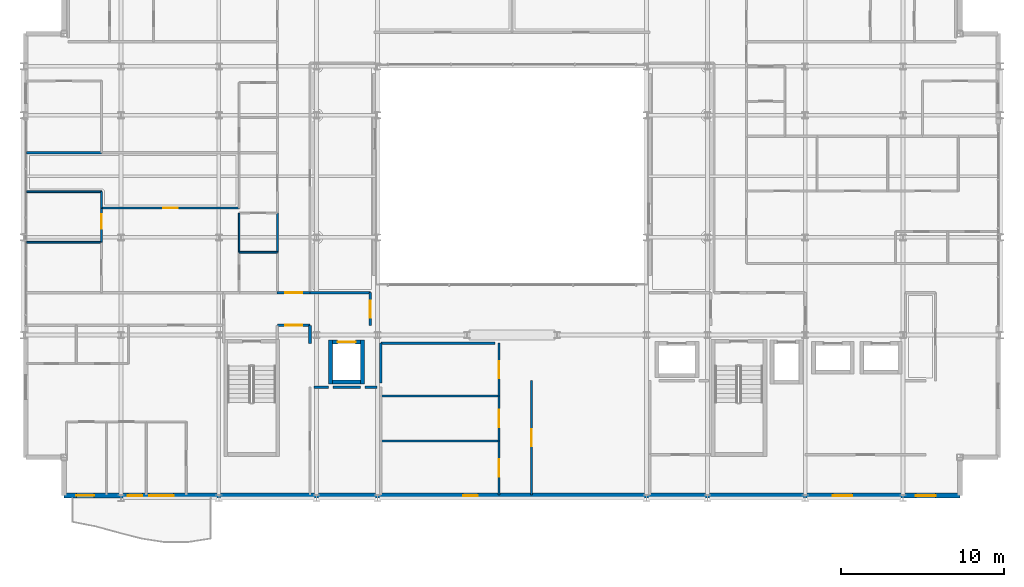
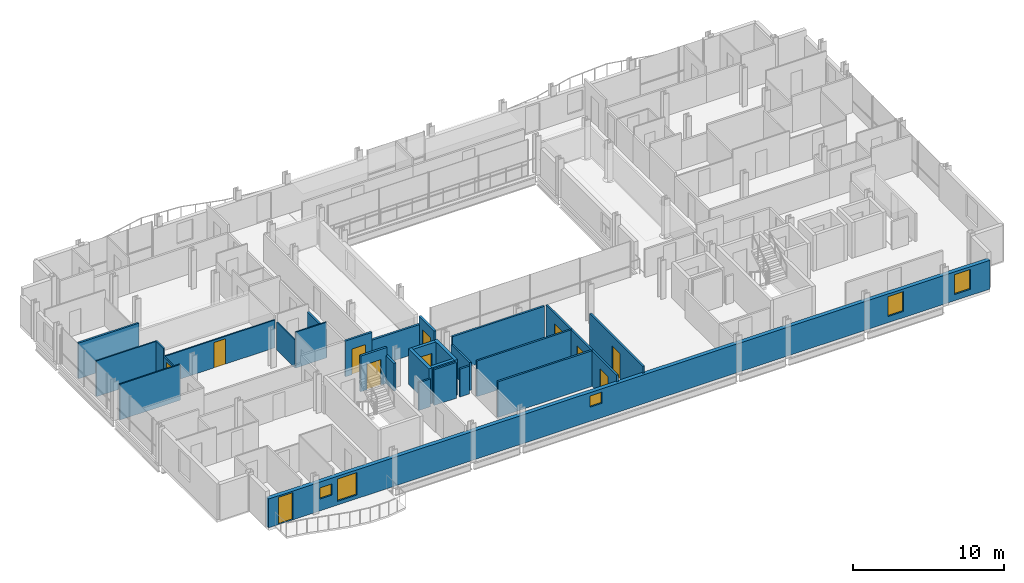
# One storey, part 34 of 41: 30 walls, 11 doors, 5 windows, 16 openings.
"""IFC4 building model written with IfcOpenShell, lengths in metres."""

from ifc_helpers import new_model, si_unit, direction, frame, frame_2d, origin, place, context, subcontext, project, spatial, rectangle, extrude, material, layer, layer_set, type_object, element, fill, save


model = new_model("IFC4")

# Units and contexts
model_context = context("Model", 3, precision=1e-05, world=origin(), true_north=direction((0.0, 1.0)))
body_context = subcontext(model_context, "Body", "Model", "MODEL_VIEW")
ifc_project = project(units=[si_unit("LENGTHUNIT", "METRE"), si_unit("AREAUNIT", "SQUARE_METRE"), si_unit("VOLUMEUNIT", "CUBIC_METRE"), si_unit("PLANEANGLEUNIT", "RADIAN"), si_unit("MASSUNIT", "GRAM", prefix="KILO")], contexts=[model_context])

# Site, building, storey
site_placement = place(None, origin())
site = spatial("IfcSite", under=ifc_project, at=site_placement, CompositionType="ELEMENT")
building_placement = place(site_placement, origin())
building = spatial("IfcBuilding", under=site, at=building_placement, Name="Brevholm Reach", CompositionType="ELEMENT")
storey_placement = place(building_placement, frame((0.0, 0.0, 163.5)))
storey = spatial("IfcBuildingStorey", under=building, at=storey_placement, Name="L49", CompositionType="ELEMENT", Elevation=163.5)

# Walls
ifc_material_1 = material(Name="Concrete C45/55", Category="concrete")
ifc_layer_1 = layer(ifc_material_1, 0.239990234375)
ifc_layer_set_1 = layer_set([ifc_layer_1], Name="Concrete C45/55")
wall_type_1 = type_object("IfcWallType", Name="WAL-COR-240", PredefinedType="SHEAR", material=ifc_layer_set_1)
for number, where, z_axis, x_axis, name in (
    (1, (18.8701171875, 7.0, 0.0), (0.0, 0.0, 1.0), (0.0, 1.0, 0.0), "L49 Lift FFL-1 Shaft Wall W"),
    (2, (20.830078125, 7.0, 0.0), (0.0, 0.0, 1.0), (0.0, 1.0, 0.0), "L49 Lift FFL-1 Shaft Wall E"),
):
    element("IfcWall", number, at=place(storey_placement, frame(where, z_axis=z_axis, x_axis=x_axis)), inside=storey, type_object=wall_type_1, Name=name, PredefinedType="SHEAR", context=body_context, shape_type="SweptSolid", body=[
        extrude(rectangle(XDim=2.699951171875, YDim=0.239990234375, at=frame_2d((1.35009765625, 0.0))), origin(), (0.0, 0.0, 1.0), 2.8798828125),
    ])
wall_1_placement = place(storey_placement, frame((18.989990234375, 7.1201171875, 0.0), z_axis=(0.0, 0.0, 1.0), x_axis=(1.0, 0.0, 0.0)))
element("IfcWall", 3, at=wall_1_placement, inside=storey, type_object=wall_type_1, Name="L49 Lift FFL-1 Shaft Wall S", PredefinedType="SHEAR", context=body_context, shape_type="SweptSolid", body=[
    extrude(rectangle(XDim=1.719970703125, YDim=0.239990234375, at=frame_2d((0.85986328125, 0.0))), origin(), (0.0, 0.0, 1.0), 2.8798828125),
])

# Wall, opening, door
wall_2_placement = place(storey_placement, frame((18.989990234375, 9.580078125, 0.0), z_axis=(0.0, 0.0, 1.0), x_axis=(1.0, 0.0, 0.0)))
wall_2 = element("IfcWall", 4, at=wall_2_placement, inside=storey, type_object=wall_type_1, Name="L49 Lift FFL-1 Shaft Wall N", PredefinedType="SHEAR", context=body_context, shape_type="SweptSolid", body=[
    extrude(rectangle(XDim=1.719970703125, YDim=0.239990234375, at=frame_2d((0.85986328125, 0.0))), origin(), (0.0, 0.0, 1.0), 2.8798828125),
])
opening_1_placement = place(wall_2_placement, frame((0.31005859375, 0.0, 0.0)))
opening_1 = element("IfcOpeningElement", 5, at=opening_1_placement, cuts=wall_2, Name="Opening LD-FFL-1", PredefinedType="OPENING", context=body_context, shape_type="SweptSolid", body=[
    extrude(rectangle(XDim=1.10009765625, YDim=2.06005859375, at=frame_2d((0.550048828125, 1.030029296875))), frame((0.0, 0.1298828125, 0.0), z_axis=(0.0, -1.0, 0.0), x_axis=(1.0, 0.0, 0.0)), (0.0, 0.0, 1.0), 0.260009765625),
])
ifc_material_2 = material(Name="Brushed Stainless Steel Fire-Rated Sliding Lift Door", Category="steel")
door_type_1 = type_object("IfcDoorType", Name="DOR-LFT-1100", OperationType="NOTDEFINED", PredefinedType="DOOR", material=ifc_material_2)
door_1_placement = place(opening_1_placement, origin())
door_1 = element("IfcDoor", 6, at=door_1_placement, inside=storey, type_object=door_type_1, Name="L49 Lift FFL-1 Sliding Landing Door", OperationType="SLIDING_TO_LEFT", OverallHeight=2.06005859375, OverallWidth=1.10009765625, PredefinedType="DOOR", context=body_context, shape_type="SweptSolid", body=[
    extrude(rectangle(XDim=1.10009765625, YDim=2.06005859375, at=frame_2d((0.550048828125, 1.030029296875))), frame((0.0, 0.02490234375, 0.0), z_axis=(0.0, -1.0, 0.0), x_axis=(1.0, 0.0, 0.0)), (0.0, 0.0, 1.0), 0.050048828125),
])
fill(opening_1, door_1)

# Wall, openings, door, windows
ifc_material_3 = material(Name="Concrete C40/50", Category="concrete")
ifc_layer_2 = layer(ifc_material_3, 0.300048828125)
ifc_layer_set_2 = layer_set([ifc_layer_2], Name="Concrete C40/50")
wall_type_2 = type_object("IfcWallType", Name="WAL-EXT-300", PredefinedType="STANDARD", material=ifc_layer_set_2)
wall_3_placement = place(storey_placement, frame((2.5, 0.14990234375, 0.0), z_axis=(0.0, 0.0, 1.0), x_axis=(1.0, 0.0, 0.0)))
wall_3 = element("IfcWall", 7, at=wall_3_placement, inside=storey, type_object=wall_type_2, Name="L49 Facade Wall WAL-L49-S", PredefinedType="STANDARD", context=body_context, shape_type="SweptSolid", body=[
    extrude(rectangle(XDim=55.0, YDim=0.300048828125, at=frame_2d((27.5, 0.0))), origin(), (0.0, 0.0, 1.0), 2.322021484375),
])
opening_2_placement = place(wall_3_placement, frame((0.75, 0.0, 0.0)))
opening_2 = element("IfcOpeningElement", 8, at=opening_2_placement, cuts=wall_3, Name="Opening BD-01", PredefinedType="OPENING", context=body_context, shape_type="SweptSolid", body=[
    extrude(rectangle(XDim=1.10009765625, YDim=2.199951171875, at=frame_2d((0.550048828125, 1.10009765625))), frame((0.0, 0.159912109375, 0.0), z_axis=(0.0, -1.0, 0.0), x_axis=(1.0, 0.0, 0.0)), (0.0, 0.0, 1.0), 0.320068359375),
])
opening_3_placement = place(wall_3_placement, frame((5.22998046875, 0.0, 0.302001953125)))
opening_3 = element("IfcOpeningElement", 9, at=opening_3_placement, cuts=wall_3, Name="Opening WN-05", PredefinedType="OPENING", context=body_context, shape_type="SweptSolid", body=[
    extrude(rectangle(XDim=1.5, YDim=1.800048828125, at=frame_2d((0.75, 0.89990234375))), frame((0.0, 0.159912109375, 0.0), z_axis=(0.0, -1.0, 0.0), x_axis=(1.0, 0.0, 0.0)), (0.0, 0.0, 1.0), 0.320068359375),
])
opening_4_placement = place(wall_3_placement, frame((24.5, 0.0, 1.14990234375)))
opening_4 = element("IfcOpeningElement", 10, at=opening_4_placement, cuts=wall_3, Name="Opening WN-09", PredefinedType="OPENING", context=body_context, shape_type="SweptSolid", body=[
    extrude(rectangle(XDim=0.89990234375, YDim=0.89990234375, at=frame_2d((0.449951171875, 0.449951171875))), frame((0.0, 0.159912109375, 0.0), z_axis=(0.0, -1.0, 0.0), x_axis=(1.0, 0.0, 0.0)), (0.0, 0.0, 1.0), 0.320068359375),
])
opening_5_placement = place(wall_3_placement, frame((47.199951171875, 0.0, 0.501953125)))
opening_5 = element("IfcOpeningElement", 11, at=opening_5_placement, cuts=wall_3, Name="Opening WN-08", PredefinedType="OPENING", context=body_context, shape_type="SweptSolid", body=[
    extrude(rectangle(XDim=1.199951171875, YDim=1.60009765625, at=frame_2d((0.60009765625, 0.800048828125))), frame((0.0, 0.159912109375, 0.0), z_axis=(0.0, -1.0, 0.0), x_axis=(1.0, 0.0, 0.0)), (0.0, 0.0, 1.0), 0.320068359375),
])
opening_6_placement = place(wall_3_placement, frame((52.300048828125, 0.0, 0.501953125)))
opening_6 = element("IfcOpeningElement", 12, at=opening_6_placement, cuts=wall_3, Name="Opening WN-08", PredefinedType="OPENING", context=body_context, shape_type="SweptSolid", body=[
    extrude(rectangle(XDim=1.199951171875, YDim=1.60009765625, at=frame_2d((0.60009765625, 0.800048828125))), frame((0.0, 0.159912109375, 0.0), z_axis=(0.0, -1.0, 0.0), x_axis=(1.0, 0.0, 0.0)), (0.0, 0.0, 1.0), 0.320068359375),
])
opening_7_placement = place(wall_3_placement, frame((3.914794921875, 0.0, 0.949951171875)))
opening_7 = element("IfcOpeningElement", 13, at=opening_7_placement, cuts=wall_3, Name="Opening WN-09", PredefinedType="OPENING", context=body_context, shape_type="SweptSolid", body=[
    extrude(rectangle(XDim=0.89990234375, YDim=0.89990234375, at=frame_2d((0.449951171875, 0.449951171875))), frame((0.0, 0.159912109375, 0.0), z_axis=(0.0, -1.0, 0.0), x_axis=(1.0, 0.0, 0.0)), (0.0, 0.0, 1.0), 0.320068359375),
])
ifc_material_4 = material(Name="Dark Anodised Aluminium and Triple-Glazed Glass", Category="aluminium")
door_type_2 = type_object("IfcDoorType", Name="DOR-BALC-1100", OperationType="NOTDEFINED", PredefinedType="DOOR", material=ifc_material_4)
door_2_placement = place(opening_2_placement, origin())
door_2 = element("IfcDoor", 14, at=door_2_placement, inside=storey, type_object=door_type_2, Name="L49 Exterior Door DOR-L49-BL-SW", OperationType="SINGLE_SWING_LEFT", OverallHeight=2.199951171875, OverallWidth=1.10009765625, PredefinedType="DOOR", context=body_context, shape_type="SweptSolid", body=[
    extrude(rectangle(XDim=1.10009765625, YDim=2.199951171875, at=frame_2d((0.550048828125, 1.10009765625))), frame((0.0, 0.02490234375, 0.0), z_axis=(0.0, -1.0, 0.0), x_axis=(1.0, 0.0, 0.0)), (0.0, 0.0, 1.0), 0.050048828125),
])
fill(opening_2, door_2)
ifc_material_5 = material(Name="Dark Anodised Aluminium and Solar-Control IGU Glass", Category="aluminium")
window_type_1 = type_object("IfcWindowType", Name="WIN-POR-0900", PartitioningType="SINGLE_PANEL", PredefinedType="WINDOW", material=ifc_material_5)
window_1_placement = place(opening_4_placement, origin())
window_1 = element("IfcWindow", 15, at=window_1_placement, inside=storey, type_object=window_type_1, Name="L49 Window WIN-L49-S-POR", OverallHeight=0.89990234375, OverallWidth=0.89990234375, PartitioningType="SINGLE_PANEL", PredefinedType="WINDOW", context=body_context, shape_type="SweptSolid", body=[
    extrude(rectangle(XDim=0.89990234375, YDim=0.89990234375, at=frame_2d((0.449951171875, 0.449951171875))), frame((0.0, 0.030029296875, 0.0), z_axis=(0.0, -1.0, 0.0), x_axis=(1.0, 0.0, 0.0)), (0.0, 0.0, 1.0), 0.06005859375),
])
fill(opening_4, window_1)
window_2_placement = place(opening_7_placement, origin())
window_2 = element("IfcWindow", 16, at=window_2_placement, inside=storey, type_object=window_type_1, Name="L49 Bedroom Window 050", OverallHeight=0.89990234375, OverallWidth=0.89990234375, PartitioningType="SINGLE_PANEL", PredefinedType="WINDOW", context=body_context, shape_type="SweptSolid", body=[
    extrude(rectangle(XDim=0.89990234375, YDim=0.89990234375, at=frame_2d((0.449951171875, 0.449951171875))), frame((0.0, 0.030029296875, 0.0), z_axis=(0.0, -1.0, 0.0), x_axis=(1.0, 0.0, 0.0)), (0.0, 0.0, 1.0), 0.06005859375),
])
fill(opening_7, window_2)
ifc_material_6 = material(Name="Dark Anodised Aluminium and Solar-Control IGU Glass", Category="aluminium")
window_type_2 = type_object("IfcWindowType", Name="WIN-RES-1200", PartitioningType="SINGLE_PANEL", PredefinedType="WINDOW", material=ifc_material_6)
window_3_placement = place(opening_5_placement, origin())
window_3 = element("IfcWindow", 17, at=window_3_placement, inside=storey, type_object=window_type_2, Name="L49 Window WIN-L49-S-E1", OverallHeight=1.60009765625, OverallWidth=1.199951171875, PartitioningType="SINGLE_PANEL", PredefinedType="WINDOW", context=body_context, shape_type="SweptSolid", body=[
    extrude(rectangle(XDim=1.199951171875, YDim=1.60009765625, at=frame_2d((0.60009765625, 0.800048828125))), frame((0.0, 0.030029296875, 0.0), z_axis=(0.0, -1.0, 0.0), x_axis=(1.0, 0.0, 0.0)), (0.0, 0.0, 1.0), 0.06005859375),
])
fill(opening_5, window_3)
window_4_placement = place(opening_6_placement, origin())
window_4 = element("IfcWindow", 18, at=window_4_placement, inside=storey, type_object=window_type_2, Name="L49 Window WIN-L49-S-E2", OverallHeight=1.60009765625, OverallWidth=1.199951171875, PartitioningType="SINGLE_PANEL", PredefinedType="WINDOW", context=body_context, shape_type="SweptSolid", body=[
    extrude(rectangle(XDim=1.199951171875, YDim=1.60009765625, at=frame_2d((0.60009765625, 0.800048828125))), frame((0.0, 0.030029296875, 0.0), z_axis=(0.0, -1.0, 0.0), x_axis=(1.0, 0.0, 0.0)), (0.0, 0.0, 1.0), 0.06005859375),
])
fill(opening_6, window_4)
ifc_material_7 = material(Name="Dark Anodised Aluminium and Solar-Control IGU Glass", Category="aluminium")
window_type_3 = type_object("IfcWindowType", Name="WIN-RES-1500", PartitioningType="SINGLE_PANEL", PredefinedType="WINDOW", material=ifc_material_7)
window_5_placement = place(opening_3_placement, origin())
window_5 = element("IfcWindow", 19, at=window_5_placement, inside=storey, type_object=window_type_3, Name="L49 Window WIN-L49-S-W1", OverallHeight=1.800048828125, OverallWidth=1.5, PartitioningType="SINGLE_PANEL", PredefinedType="WINDOW", context=body_context, shape_type="SweptSolid", body=[
    extrude(rectangle(XDim=1.5, YDim=1.800048828125, at=frame_2d((0.75, 0.89990234375))), frame((0.0, 0.030029296875, 0.0), z_axis=(0.0, -1.0, 0.0), x_axis=(1.0, 0.0, 0.0)), (0.0, 0.0, 1.0), 0.06005859375),
])
fill(opening_3, window_5)

# Walls
ifc_material_8 = material(Name="Moisture-Resistant Acoustic Gypsum Stud Partition 100 mm", Category="gypsum")
ifc_layer_3 = layer(ifc_material_8, 0.10009765625)
ifc_layer_set_3 = layer_set([ifc_layer_3], Name="Moisture-Resistant Acoustic Gypsum Stud Partition 100 mm")
wall_type_3 = type_object("IfcWallType", Name="WAL-PRT-100", PredefinedType="PARTITIONING", material=ifc_layer_set_3)
wall_4_placement = place(storey_placement, frame((13.25, 15.08203125, 0.0), z_axis=(0.0, 0.0, 1.0), x_axis=(1.0, 0.0, 0.0)))
element("IfcWall", 20, at=wall_4_placement, inside=storey, type_object=wall_type_3, Name="L49 Internal Partition 072", PredefinedType="PARTITIONING", context=body_context, shape_type="SweptSolid", body=[
    extrude(rectangle(XDim=2.345947265625, YDim=0.10009765625, at=frame_2d((1.1728515625, 0.0))), origin(), (0.0, 0.0, 1.0), 2.8798828125),
])
wall_5_placement = place(storey_placement, frame((13.25, 15.0859375, 0.0), z_axis=(0.0, 0.0, 1.0), x_axis=(0.0, 1.0, 0.0)))
element("IfcWall", 21, at=wall_5_placement, inside=storey, type_object=wall_type_3, Name="L49 Internal Partition 075", PredefinedType="PARTITIONING", context=body_context, shape_type="SweptSolid", body=[
    extrude(rectangle(XDim=2.404052734375, YDim=0.10009765625, at=frame_2d((1.2021484375, 0.0))), origin(), (0.0, 0.0, 1.0), 2.242919921875),
])
wall_6_placement = place(storey_placement, frame((0.199951171875, 15.699951171875, 0.0), z_axis=(0.0, 0.0, 1.0), x_axis=(1.0, 0.0, 0.0)))
element("IfcWall", 22, at=wall_6_placement, inside=storey, type_object=wall_type_3, Name="L49 Internal Partition 076", PredefinedType="PARTITIONING", context=body_context, shape_type="SweptSolid", body=[
    extrude(rectangle(XDim=4.60009765625, YDim=0.10009765625, at=frame_2d((2.300048828125, 0.0))), origin(), (0.0, 0.0, 1.0), 2.8798828125),
])
wall_7_placement = place(storey_placement, frame((4.800048828125, 17.788818359375, 0.0), z_axis=(0.0, 0.0, 1.0), x_axis=(0.0, 1.0, 0.0)))
element("IfcWall", 23, at=wall_7_placement, inside=storey, type_object=wall_type_3, Name="L49 Internal Partition 078", PredefinedType="PARTITIONING", context=body_context, shape_type="SweptSolid", body=[
    extrude(rectangle(XDim=1.01123046875, YDim=0.10009765625, at=frame_2d((0.505615234375, 0.0))), origin(), (0.0, 0.0, 1.0), 2.8798828125),
])
wall_8_placement = place(storey_placement, frame((0.199951171875, 18.800048828125, 0.0), z_axis=(0.0, 0.0, 1.0), x_axis=(1.0, 0.0, 0.0)))
element("IfcWall", 24, at=wall_8_placement, inside=storey, type_object=wall_type_3, Name="L49 Internal Partition 079", PredefinedType="PARTITIONING", context=body_context, shape_type="SweptSolid", body=[
    extrude(rectangle(XDim=4.60009765625, YDim=0.10009765625, at=frame_2d((2.300048828125, 0.0))), origin(), (0.0, 0.0, 1.0), 2.8798828125),
])

# Wall, opening, door
wall_9_placement = place(storey_placement, frame((4.800048828125, 15.7041015625, 0.0), z_axis=(0.0, 0.0, 1.0), x_axis=(0.0, 1.0, 0.0)))
wall_9 = element("IfcWall", 25, at=wall_9_placement, inside=storey, type_object=wall_type_3, Name="L49 Internal Partition 080", PredefinedType="PARTITIONING", context=body_context, shape_type="SweptSolid", body=[
    extrude(rectangle(XDim=2.103271484375, YDim=0.10009765625, at=frame_2d((1.0517578125, 0.0))), origin(), (0.0, 0.0, 1.0), 2.242919921875),
])
opening_8_placement = place(wall_9_placement, frame((0.831787109375, 0.0, 0.0)))
opening_8 = element("IfcOpeningElement", 26, at=opening_8_placement, cuts=wall_9, Name="Opening ID-01", PredefinedType="OPENING", context=body_context, shape_type="SweptSolid", body=[
    extrude(rectangle(XDim=0.8798828125, YDim=2.0400390625, at=frame_2d((0.43994140625, 1.02001953125))), frame((0.0, 0.06005859375, 0.0), z_axis=(0.0, -1.0, 0.0), x_axis=(1.0, 0.0, 0.0)), (0.0, 0.0, 1.0), 0.1201171875),
])
ifc_material_9 = material(Name="Lacquered Ash Solid-Core Acoustic Internal Door", Category="timber")
door_type_3 = type_object("IfcDoorType", Name="DOR-INT-880", OperationType="NOTDEFINED", PredefinedType="DOOR", material=ifc_material_9)
door_3_placement = place(opening_8_placement, origin())
door_3 = element("IfcDoor", 27, at=door_3_placement, inside=storey, type_object=door_type_3, Name="L49 Internal Door 036", OperationType="SINGLE_SWING_RIGHT", OverallHeight=2.0400390625, OverallWidth=0.8798828125, PredefinedType="DOOR", context=body_context, shape_type="SweptSolid", body=[
    extrude(rectangle(XDim=0.8798828125, YDim=2.0400390625, at=frame_2d((0.43994140625, 1.02001953125))), frame((0.0, 0.02490234375, 0.0), z_axis=(0.0, -1.0, 0.0), x_axis=(1.0, 0.0, 0.0)), (0.0, 0.0, 1.0), 0.050048828125),
])
fill(opening_8, door_3)

wall_10_placement = place(storey_placement, frame((4.803955078125, 17.800048828125, 0.0), z_axis=(0.0, 0.0, 1.0), x_axis=(1.0, 0.0, 0.0)))
wall_10 = element("IfcWall", 28, at=wall_10_placement, inside=storey, type_object=wall_type_3, Name="L49 Internal Partition 081", PredefinedType="PARTITIONING", context=body_context, shape_type="SweptSolid", body=[
    extrude(rectangle(XDim=8.446044921875, YDim=0.10009765625, at=frame_2d((4.22314453125, 0.0))), origin(), (0.0, 0.0, 1.0), 2.242919921875),
])
opening_9_placement = place(wall_10_placement, frame((3.782958984375, 0.0, 0.0)))
opening_9 = element("IfcOpeningElement", 29, at=opening_9_placement, cuts=wall_10, Name="Opening ID-01", PredefinedType="OPENING", context=body_context, shape_type="SweptSolid", body=[
    extrude(rectangle(XDim=0.8798828125, YDim=2.0400390625, at=frame_2d((0.43994140625, 1.02001953125))), frame((0.0, 0.06005859375, 0.0), z_axis=(0.0, -1.0, 0.0), x_axis=(1.0, 0.0, 0.0)), (0.0, 0.0, 1.0), 0.1201171875),
])
door_4_placement = place(opening_9_placement, origin())
door_4 = element("IfcDoor", 30, at=door_4_placement, inside=storey, type_object=door_type_3, Name="L49 Internal Door 037", OperationType="SINGLE_SWING_LEFT", OverallHeight=2.0400390625, OverallWidth=0.8798828125, PredefinedType="DOOR", context=body_context, shape_type="SweptSolid", body=[
    extrude(rectangle(XDim=0.8798828125, YDim=2.0400390625, at=frame_2d((0.43994140625, 1.02001953125))), frame((0.0, 0.02490234375, 0.0), z_axis=(0.0, -1.0, 0.0), x_axis=(1.0, 0.0, 0.0)), (0.0, 0.0, 1.0), 0.050048828125),
])
fill(opening_9, door_4)

ifc_material_10 = material(Name="Twin-Stud Acoustic Fire-Rated Gypsum Partition 140 mm", Category="gypsum")
ifc_layer_4 = layer(ifc_material_10, 0.139892578125)
ifc_layer_set_4 = layer_set([ifc_layer_4], Name="Twin-Stud Acoustic Fire-Rated Gypsum Partition 140 mm")
wall_type_4 = type_object("IfcWallType", Name="WAL-PRT-140", PredefinedType="PARTITIONING", material=ifc_layer_set_4)
wall_11_placement = place(storey_placement, frame((29.199951171875, 0.179931640625, 0.0), z_axis=(0.0, 0.0, 1.0), x_axis=(0.0, 1.0, 0.0)))
wall_11 = element("IfcWall", 31, at=wall_11_placement, inside=storey, type_object=wall_type_4, Name="L49 Internal Partition 001", PredefinedType="PARTITIONING", context=body_context, shape_type="SweptSolid", body=[
    extrude(rectangle(XDim=3.327392578125, YDim=0.139892578125, at=frame_2d((1.66357421875, 0.0))), origin(), (0.0, 0.0, 1.0), 2.8798828125),
])
opening_10_placement = place(wall_11_placement, frame((1.138671875, 0.0, 0.0)))
opening_10 = element("IfcOpeningElement", 32, at=opening_10_placement, cuts=wall_11, Name="Opening FD-01", PredefinedType="OPENING", context=body_context, shape_type="SweptSolid", body=[
    extrude(rectangle(XDim=1.050048828125, YDim=2.06005859375, at=frame_2d((0.52490234375, 1.030029296875))), frame((0.0, 0.079833984375, 0.0), z_axis=(0.0, -1.0, 0.0), x_axis=(1.0, 0.0, 0.0)), (0.0, 0.0, 1.0), 0.159912109375),
])
ifc_material_11 = material(Name="Hardwood-Lipped Steel-Core Fire and Smoke Door", Category="steel")
door_type_4 = type_object("IfcDoorType", Name="DOR-INT-FD60S", OperationType="NOTDEFINED", PredefinedType="DOOR", material=ifc_material_11)
door_5_placement = place(opening_10_placement, origin())
door_5 = element("IfcDoor", 33, at=door_5_placement, inside=storey, type_object=door_type_4, Name="L49 Internal Door 001", OperationType="SINGLE_SWING_LEFT", OverallHeight=2.06005859375, OverallWidth=1.050048828125, PredefinedType="DOOR", context=body_context, shape_type="SweptSolid", body=[
    extrude(rectangle(XDim=1.050048828125, YDim=2.06005859375, at=frame_2d((0.52490234375, 1.030029296875))), frame((0.0, 0.02490234375, 0.0), z_axis=(0.0, -1.0, 0.0), x_axis=(1.0, 0.0, 0.0)), (0.0, 0.0, 1.0), 0.050048828125),
])
fill(opening_10, door_5)

wall_12_placement = place(storey_placement, frame((29.199951171875, 3.48876953125, 0.0), z_axis=(0.0, 0.0, 1.0), x_axis=(0.0, 1.0, 0.0)))
wall_12 = element("IfcWall", 34, at=wall_12_placement, inside=storey, type_object=wall_type_4, Name="L49 Internal Partition 002", PredefinedType="PARTITIONING", context=body_context, shape_type="SweptSolid", body=[
    extrude(rectangle(XDim=2.781494140625, YDim=0.139892578125, at=frame_2d((1.390625, 0.0))), origin(), (0.0, 0.0, 1.0), 2.8798828125),
])
opening_11_placement = place(wall_12_placement, frame((0.86572265625, 0.0, 0.0)))
opening_11 = element("IfcOpeningElement", 35, at=opening_11_placement, cuts=wall_12, Name="Opening FD-01", PredefinedType="OPENING", context=body_context, shape_type="SweptSolid", body=[
    extrude(rectangle(XDim=1.050048828125, YDim=2.06005859375, at=frame_2d((0.52490234375, 1.030029296875))), frame((0.0, 0.079833984375, 0.0), z_axis=(0.0, -1.0, 0.0), x_axis=(1.0, 0.0, 0.0)), (0.0, 0.0, 1.0), 0.159912109375),
])
door_6_placement = place(opening_11_placement, origin())
door_6 = element("IfcDoor", 36, at=door_6_placement, inside=storey, type_object=door_type_4, Name="L49 Internal Door 002", OperationType="SINGLE_SWING_RIGHT", OverallHeight=2.06005859375, OverallWidth=1.050048828125, PredefinedType="DOOR", context=body_context, shape_type="SweptSolid", body=[
    extrude(rectangle(XDim=1.050048828125, YDim=2.06005859375, at=frame_2d((0.52490234375, 1.030029296875))), frame((0.0, 0.02490234375, 0.0), z_axis=(0.0, -1.0, 0.0), x_axis=(1.0, 0.0, 0.0)), (0.0, 0.0, 1.0), 0.050048828125),
])
fill(opening_11, door_6)

wall_13_placement = place(storey_placement, frame((29.199951171875, 6.251708984375, 0.0), z_axis=(0.0, 0.0, 1.0), x_axis=(0.0, 1.0, 0.0)))
wall_13 = element("IfcWall", 37, at=wall_13_placement, inside=storey, type_object=wall_type_4, Name="L49 Internal Partition 003", PredefinedType="PARTITIONING", context=body_context, shape_type="SweptSolid", body=[
    extrude(rectangle(XDim=3.259521484375, YDim=0.139892578125, at=frame_2d((1.6298828125, 0.0))), origin(), (0.0, 0.0, 1.0), 2.8798828125),
])
opening_12_placement = place(wall_13_placement, frame((1.104736328125, 0.0, 0.0)))
opening_12 = element("IfcOpeningElement", 38, at=opening_12_placement, cuts=wall_13, Name="Opening FD-01", PredefinedType="OPENING", context=body_context, shape_type="SweptSolid", body=[
    extrude(rectangle(XDim=1.050048828125, YDim=2.06005859375, at=frame_2d((0.52490234375, 1.030029296875))), frame((0.0, 0.079833984375, 0.0), z_axis=(0.0, -1.0, 0.0), x_axis=(1.0, 0.0, 0.0)), (0.0, 0.0, 1.0), 0.159912109375),
])
door_7_placement = place(opening_12_placement, origin())
door_7 = element("IfcDoor", 39, at=door_7_placement, inside=storey, type_object=door_type_4, Name="L49 Internal Door 003", OperationType="SINGLE_SWING_LEFT", OverallHeight=2.06005859375, OverallWidth=1.050048828125, PredefinedType="DOOR", context=body_context, shape_type="SweptSolid", body=[
    extrude(rectangle(XDim=1.050048828125, YDim=2.06005859375, at=frame_2d((0.52490234375, 1.030029296875))), frame((0.0, 0.02490234375, 0.0), z_axis=(0.0, -1.0, 0.0), x_axis=(1.0, 0.0, 0.0)), (0.0, 0.0, 1.0), 0.050048828125),
])
fill(opening_12, door_7)

wall_14_placement = place(storey_placement, frame((31.199951171875, 0.179931640625, 0.0), z_axis=(0.0, 0.0, 1.0), x_axis=(0.0, 1.0, 0.0)))
wall_14 = element("IfcWall", 40, at=wall_14_placement, inside=storey, type_object=wall_type_4, Name="L49 Internal Partition 004", PredefinedType="PARTITIONING", context=body_context, shape_type="SweptSolid", body=[
    extrude(rectangle(XDim=7.03125, YDim=0.139892578125, at=frame_2d((3.515625, 0.0))), origin(), (0.0, 0.0, 1.0), 2.8798828125),
])
opening_13_placement = place(wall_14_placement, frame((2.99072265625, 0.0, 0.0)))
opening_13 = element("IfcOpeningElement", 41, at=opening_13_placement, cuts=wall_14, Name="Opening FD-01", PredefinedType="OPENING", context=body_context, shape_type="SweptSolid", body=[
    extrude(rectangle(XDim=1.050048828125, YDim=2.06005859375, at=frame_2d((0.52490234375, 1.030029296875))), frame((0.0, 0.079833984375, 0.0), z_axis=(0.0, -1.0, 0.0), x_axis=(1.0, 0.0, 0.0)), (0.0, 0.0, 1.0), 0.159912109375),
])
door_8_placement = place(opening_13_placement, origin())
door_8 = element("IfcDoor", 42, at=door_8_placement, inside=storey, type_object=door_type_4, Name="L49 Internal Door 004", OperationType="SINGLE_SWING_RIGHT", OverallHeight=2.06005859375, OverallWidth=1.050048828125, PredefinedType="DOOR", context=body_context, shape_type="SweptSolid", body=[
    extrude(rectangle(XDim=1.050048828125, YDim=2.06005859375, at=frame_2d((0.52490234375, 1.030029296875))), frame((0.0, 0.02490234375, 0.0), z_axis=(0.0, -1.0, 0.0), x_axis=(1.0, 0.0, 0.0)), (0.0, 0.0, 1.0), 0.050048828125),
])
fill(opening_13, door_8)

# Walls
for number, where, z_axis, x_axis, name in (
    (43, (21.949951171875, 3.49609375, 0.0), (0.0, 0.0, 1.0), (1.0, 0.0, 0.0), "L49 Internal Partition 005"),
    (44, (21.949951171875, 6.259033203125, 0.0), (0.0, 0.0, 1.0), (1.0, 0.0, 0.0), "L49 Internal Partition 007"),
):
    element("IfcWall", number, at=place(storey_placement, frame(where, z_axis=z_axis, x_axis=x_axis)), inside=storey, type_object=wall_type_4, Name=name, PredefinedType="PARTITIONING", context=body_context, shape_type="SweptSolid", body=[
        extrude(rectangle(XDim=7.24609375, YDim=0.139892578125, at=frame_2d((3.623046875, 0.0))), origin(), (0.0, 0.0, 1.0), 2.8798828125),
    ])
wall_15_placement = place(storey_placement, frame((15.60009765625, 15.07470703125, 0.0), z_axis=(0.0, 0.0, 1.0), x_axis=(0.0, 1.0, 0.0)))
element("IfcWall", 45, at=wall_15_placement, inside=storey, type_object=wall_type_4, Name="L49 Internal Partition 035", PredefinedType="PARTITIONING", context=body_context, shape_type="SweptSolid", body=[
    extrude(rectangle(XDim=2.426513671875, YDim=0.139892578125, at=frame_2d((1.21337890625, 0.0))), origin(), (0.0, 0.0, 1.0), 2.242919921875),
])
wall_16_placement = place(storey_placement, frame((0.199951171875, 21.199951171875, 0.0), z_axis=(0.0, 0.0, 1.0), x_axis=(1.0, 0.0, 0.0)))
element("IfcWall", 46, at=wall_16_placement, inside=storey, type_object=wall_type_4, Name="L49 Internal Partition 083", PredefinedType="PARTITIONING", context=body_context, shape_type="SweptSolid", body=[
    extrude(rectangle(XDim=4.611328125, YDim=0.139892578125, at=frame_2d((2.3056640625, 0.0))), origin(), (0.0, 0.0, 1.0), 2.8798828125),
])
wall_17_placement = place(storey_placement, frame((21.949951171875, 9.5, 0.0), z_axis=(0.0, 0.0, 1.0), x_axis=(1.0, 0.0, 0.0)))
element("IfcWall", 47, at=wall_17_placement, inside=storey, type_object=wall_type_4, Name="L49 Internal Partition 125", PredefinedType="PARTITIONING", context=body_context, shape_type="SweptSolid", body=[
    extrude(rectangle(XDim=7.010009765625, YDim=0.139892578125, at=frame_2d((3.5048828125, 0.0))), origin(), (0.0, 0.0, 1.0), 2.8798828125),
])
wall_18_placement = place(storey_placement, frame((21.949951171875, 7.05126953125, 0.0), z_axis=(0.0, 0.0, 1.0), x_axis=(0.0, 1.0, 0.0)))
element("IfcWall", 48, at=wall_18_placement, inside=storey, type_object=wall_type_4, Name="L49 Internal Partition 126", PredefinedType="PARTITIONING", context=body_context, shape_type="SweptSolid", body=[
    extrude(rectangle(XDim=2.44873046875, YDim=0.139892578125, at=frame_2d((1.224365234375, 0.0))), origin(), (0.0, 0.0, 1.0), 2.242919921875),
])
wall_19_placement = place(storey_placement, frame((20.962646484375, 6.800048828125, 0.0), z_axis=(0.0, 0.0, 1.0), x_axis=(1.0, 0.0, 0.0)))
element("IfcWall", 49, at=wall_19_placement, inside=storey, type_object=wall_type_4, Name="L49 Internal Partition 129", PredefinedType="PARTITIONING", context=body_context, shape_type="SweptSolid", body=[
    extrude(rectangle(XDim=0.747314453125, YDim=0.139892578125, at=frame_2d((0.37353515625, 0.0))), origin(), (0.0, 0.0, 1.0), 2.242919921875),
])
wall_20_placement = place(storey_placement, frame((19.002685546875, 6.800048828125, 0.0), z_axis=(0.0, 0.0, 1.0), x_axis=(1.0, 0.0, 0.0)))
element("IfcWall", 50, at=wall_20_placement, inside=storey, type_object=wall_type_4, Name="L49 Internal Partition 130", PredefinedType="PARTITIONING", context=body_context, shape_type="SweptSolid", body=[
    extrude(rectangle(XDim=1.69482421875, YDim=0.139892578125, at=frame_2d((0.847412109375, 0.0))), origin(), (0.0, 0.0, 1.0), 2.8798828125),
])
wall_21_placement = place(storey_placement, frame((17.840087890625, 6.800048828125, 0.0), z_axis=(0.0, 0.0, 1.0), x_axis=(1.0, 0.0, 0.0)))
element("IfcWall", 51, at=wall_21_placement, inside=storey, type_object=wall_type_4, Name="L49 Internal Partition 131", PredefinedType="PARTITIONING", context=body_context, shape_type="SweptSolid", body=[
    extrude(rectangle(XDim=0.897216796875, YDim=0.139892578125, at=frame_2d((0.44873046875, 0.0))), origin(), (0.0, 0.0, 1.0), 2.242919921875),
])
ifc_material_12 = material(Name="Twin-Frame Fire-Rated Gypsum Board and Mineral Wool 160 mm", Category="gypsum")
ifc_layer_5 = layer(ifc_material_12, 0.159912109375)
ifc_layer_set_5 = layer_set([ifc_layer_5], Name="Twin-Frame Fire-Rated Gypsum Board and Mineral Wool 160 mm")
wall_type_5 = type_object("IfcWallType", Name="WAL-PRT-160", PredefinedType="PARTITIONING", material=ifc_layer_set_5)
wall_22_placement = place(storey_placement, frame((17.60009765625, 9.48876953125, 0.0), z_axis=(0.0, 0.0, 1.0), x_axis=(0.0, 1.0, 0.0)))
element("IfcWall", 52, at=wall_22_placement, inside=storey, type_object=wall_type_5, Name="L49 Internal Partition 017", PredefinedType="PARTITIONING", context=body_context, shape_type="SweptSolid", body=[
    extrude(rectangle(XDim=1.111328125, YDim=0.159912109375, at=frame_2d((0.5556640625, 0.0))), origin(), (0.0, 0.0, 1.0), 2.242919921875),
])

# Wall, opening, door
wall_23_placement = place(storey_placement, frame((15.60009765625, 10.60009765625, 0.0), z_axis=(0.0, 0.0, 1.0), x_axis=(1.0, 0.0, 0.0)))
wall_23 = element("IfcWall", 53, at=wall_23_placement, inside=storey, type_object=wall_type_5, Name="L49 Internal Partition 018", PredefinedType="PARTITIONING", context=body_context, shape_type="SweptSolid", body=[
    extrude(rectangle(XDim=2.0, YDim=0.159912109375, at=frame_2d((1.0, 0.0))), origin(), (0.0, 0.0, 1.0), 2.8798828125),
])
opening_14_placement = place(wall_23_placement, frame((0.47509765625, 0.0, 0.0)))
opening_14 = element("IfcOpeningElement", 54, at=opening_14_placement, cuts=wall_23, Name="Opening FD-01", PredefinedType="OPENING", context=body_context, shape_type="SweptSolid", body=[
    extrude(rectangle(XDim=1.050048828125, YDim=2.06005859375, at=frame_2d((0.52490234375, 1.030029296875))), frame((0.0, 0.08984375, 0.0), z_axis=(0.0, -1.0, 0.0), x_axis=(1.0, 0.0, 0.0)), (0.0, 0.0, 1.0), 0.179931640625),
])
door_9_placement = place(opening_14_placement, origin())
door_9 = element("IfcDoor", 55, at=door_9_placement, inside=storey, type_object=door_type_4, Name="L49 Internal Door 009", OperationType="SINGLE_SWING_LEFT", OverallHeight=2.06005859375, OverallWidth=1.050048828125, PredefinedType="DOOR", context=body_context, shape_type="SweptSolid", body=[
    extrude(rectangle(XDim=1.050048828125, YDim=2.06005859375, at=frame_2d((0.52490234375, 1.030029296875))), frame((0.0, 0.02490234375, 0.0), z_axis=(0.0, -1.0, 0.0), x_axis=(1.0, 0.0, 0.0)), (0.0, 0.0, 1.0), 0.050048828125),
])
fill(opening_14, door_9)

wall_24_placement = place(storey_placement, frame((21.300048828125, 10.588623046875, 0.0), z_axis=(0.0, 0.0, 1.0), x_axis=(0.0, 1.0, 0.0)))
wall_24 = element("IfcWall", 56, at=wall_24_placement, inside=storey, type_object=wall_type_5, Name="L49 Internal Partition 020", PredefinedType="PARTITIONING", context=body_context, shape_type="SweptSolid", body=[
    extrude(rectangle(XDim=2.011474609375, YDim=0.159912109375, at=frame_2d((1.005859375, 0.0))), origin(), (0.0, 0.0, 1.0), 2.8798828125),
])
opening_15_placement = place(wall_24_placement, frame((0.480712890625, 0.0, 0.0)))
opening_15 = element("IfcOpeningElement", 57, at=opening_15_placement, cuts=wall_24, Name="Opening FD-01", PredefinedType="OPENING", context=body_context, shape_type="SweptSolid", body=[
    extrude(rectangle(XDim=1.050048828125, YDim=2.06005859375, at=frame_2d((0.52490234375, 1.030029296875))), frame((0.0, 0.08984375, 0.0), z_axis=(0.0, -1.0, 0.0), x_axis=(1.0, 0.0, 0.0)), (0.0, 0.0, 1.0), 0.179931640625),
])
door_10_placement = place(opening_15_placement, origin())
door_10 = element("IfcDoor", 58, at=door_10_placement, inside=storey, type_object=door_type_4, Name="L49 Internal Door 010", OperationType="SINGLE_SWING_RIGHT", OverallHeight=2.06005859375, OverallWidth=1.050048828125, PredefinedType="DOOR", context=body_context, shape_type="SweptSolid", body=[
    extrude(rectangle(XDim=1.050048828125, YDim=2.06005859375, at=frame_2d((0.52490234375, 1.030029296875))), frame((0.0, 0.02490234375, 0.0), z_axis=(0.0, -1.0, 0.0), x_axis=(1.0, 0.0, 0.0)), (0.0, 0.0, 1.0), 0.050048828125),
])
fill(opening_15, door_10)

wall_25_placement = place(storey_placement, frame((15.588623046875, 12.60009765625, 0.0), z_axis=(0.0, 0.0, 1.0), x_axis=(1.0, 0.0, 0.0)))
wall_25 = element("IfcWall", 59, at=wall_25_placement, inside=storey, type_object=wall_type_5, Name="L49 Internal Partition 021", PredefinedType="PARTITIONING", context=body_context, shape_type="SweptSolid", body=[
    extrude(rectangle(XDim=2.022705078125, YDim=0.159912109375, at=frame_2d((1.01123046875, 0.0))), origin(), (0.0, 0.0, 1.0), 2.8798828125),
])
opening_16_placement = place(wall_25_placement, frame((0.486328125, 0.0, 0.0)))
opening_16 = element("IfcOpeningElement", 60, at=opening_16_placement, cuts=wall_25, Name="Opening FD-01", PredefinedType="OPENING", context=body_context, shape_type="SweptSolid", body=[
    extrude(rectangle(XDim=1.050048828125, YDim=2.06005859375, at=frame_2d((0.52490234375, 1.030029296875))), frame((0.0, 0.08984375, 0.0), z_axis=(0.0, -1.0, 0.0), x_axis=(1.0, 0.0, 0.0)), (0.0, 0.0, 1.0), 0.179931640625),
])
door_11_placement = place(opening_16_placement, origin())
door_11 = element("IfcDoor", 61, at=door_11_placement, inside=storey, type_object=door_type_4, Name="L49 Internal Door 011", OperationType="SINGLE_SWING_LEFT", OverallHeight=2.06005859375, OverallWidth=1.050048828125, PredefinedType="DOOR", context=body_context, shape_type="SweptSolid", body=[
    extrude(rectangle(XDim=1.050048828125, YDim=2.06005859375, at=frame_2d((0.52490234375, 1.030029296875))), frame((0.0, 0.02490234375, 0.0), z_axis=(0.0, -1.0, 0.0), x_axis=(1.0, 0.0, 0.0)), (0.0, 0.0, 1.0), 0.050048828125),
])
fill(opening_16, door_11)

# Wall
wall_26_placement = place(storey_placement, frame((17.5927734375, 12.60009765625, 0.0), z_axis=(0.0, 0.0, 1.0), x_axis=(1.0, 0.0, 0.0)))
element("IfcWall", 62, at=wall_26_placement, inside=storey, type_object=wall_type_5, Name="L49 Internal Partition 026", PredefinedType="PARTITIONING", context=body_context, shape_type="SweptSolid", body=[
    extrude(rectangle(XDim=3.707275390625, YDim=0.159912109375, at=frame_2d((1.853515625, 0.0))), origin(), (0.0, 0.0, 1.0), 2.242919921875),
])

save(model, "model.ifc")
